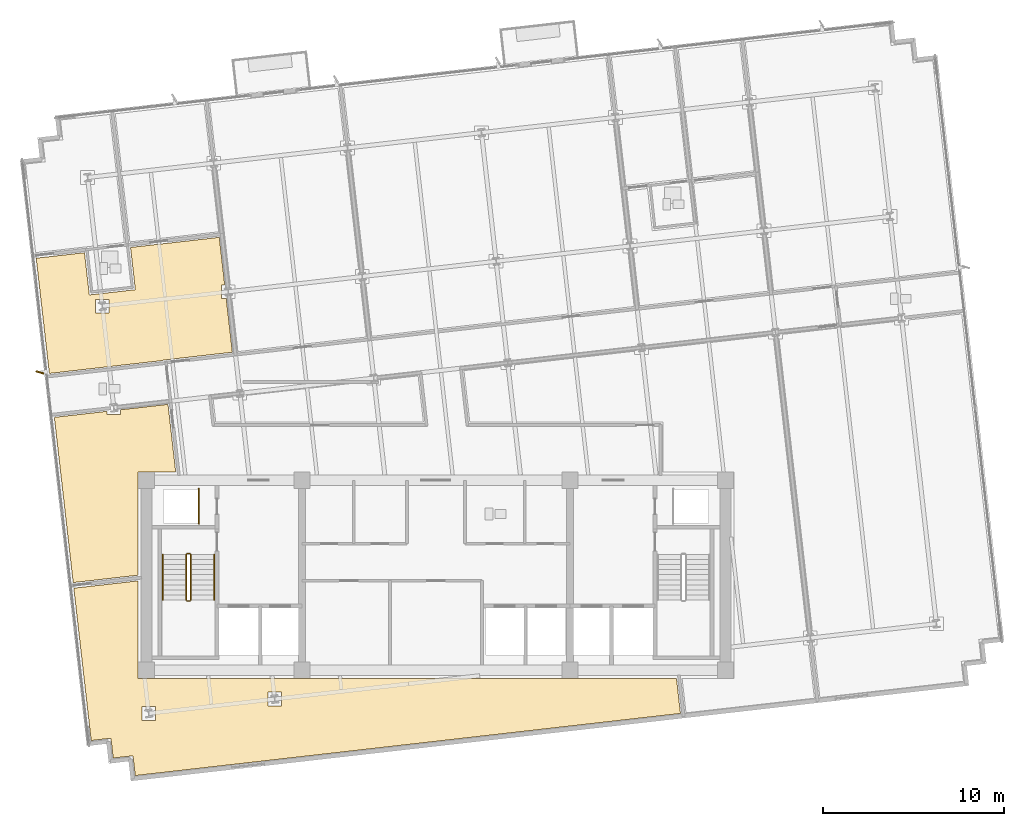
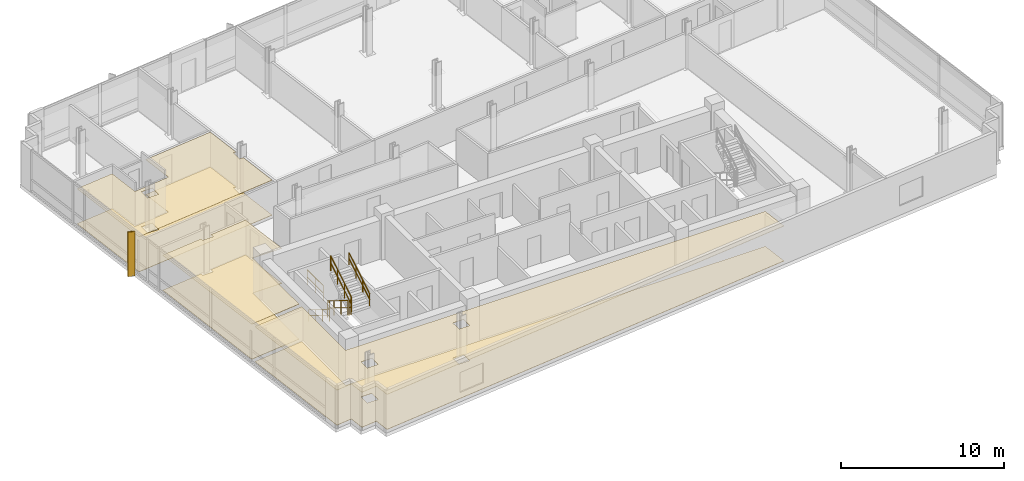
# One storey, part 12 of 15: 7 railings, 6 coverings, 1 shading device.
"""IFC4 building model written with IfcOpenShell, lengths in metres."""

from ifc_helpers import new_model, si_unit, direction, frame, origin, origin_2d, place, context, subcontext, project, spatial, polyline, rectangle, circle, outline, extrude, material, layer, layer_set, type_object, element, save


model = new_model("IFC4")

# Units and contexts
model_context = context("Model", 3, precision=1e-05, world=origin(), true_north=direction((0.0, 1.0)))
body_context = subcontext(model_context, "Body", "Model", "MODEL_VIEW")
ifc_project = project(units=[si_unit("LENGTHUNIT", "METRE"), si_unit("AREAUNIT", "SQUARE_METRE"), si_unit("VOLUMEUNIT", "CUBIC_METRE"), si_unit("PLANEANGLEUNIT", "RADIAN"), si_unit("MASSUNIT", "GRAM", prefix="KILO")], contexts=[model_context])

# Site, building, storey
site_placement = place(None, origin())
site = spatial("IfcSite", under=ifc_project, at=site_placement, CompositionType="ELEMENT")
building_placement = place(site_placement, origin())
building = spatial("IfcBuilding", under=site, at=building_placement, Name="Solmavex Isthmus Hotel", CompositionType="ELEMENT")
storey_placement = place(building_placement, frame((0.0, 0.0, 226.199951171875)))
storey = spatial("IfcBuildingStorey", under=building, at=storey_placement, Name="L61", CompositionType="ELEMENT", Elevation=226.199951171875)

# Coverings
ifc_material_1 = material(Name="Gypsum plasterboard lining", Category="gypsum")
ifc_layer_1 = layer(ifc_material_1, 0.030029296875)
ifc_layer_set_1 = layer_set([ifc_layer_1], Name="Gypsum plasterboard lining")
covering_type_1 = type_object("IfcCoveringType", Name="COV-CEIL-GYP", PredefinedType="CEILING", material=ifc_layer_set_1)
covering_1_placement = place(storey_placement, frame((0.0, 0.0, 2.6201171875)))
element("IfcCovering", 1, at=covering_1_placement, inside=storey, type_object=covering_type_1, Name="Suspended Acoustic Ceiling L61-ST01-FY", PredefinedType="CEILING", context=body_context, shape_type="SweptSolid", body=[
    extrude(outline(polyline([(-15.079833984375, 4.11669921875), (-15.08203125, 4.136474609375), (-11.2490234375, 4.5732421875), (-11.586181640625, 7.532470703125), (-11.853271484375, 7.532470703125), (-11.853271484375, 8.29248046875), (-11.672607421875, 8.29248046875), (-11.97216796875, 10.920166015625), (-16.874267578125, 10.36181640625), (-16.6083984375, 8.02685546875), (-19.15185546875, 7.737060546875), (-19.41796875, 10.072021484375), (-22.084716796875, 9.76806640625), (-21.359130859375, 3.4013671875), (-15.079833984375, 4.11669921875)]), holes=[polyline([(-18.81640625, 6.739013671875), (-18.81640625, 7.4990234375), (-18.056396484375, 7.4990234375), (-18.056396484375, 6.739013671875), (-18.81640625, 6.739013671875)])]), origin(), (0.0, 0.0, 1.0), 0.030029296875),
])
covering_2_placement = place(storey_placement, frame((0.0, 0.0, 2.6201171875)))
element("IfcCovering", 2, at=covering_2_placement, inside=storey, type_object=covering_type_1, Name="Suspended Acoustic Ceiling L61-FL09", PredefinedType="CEILING", context=body_context, shape_type="SweptSolid", body=[
    extrude(outline(polyline([(-17.4169921875, 1.39453125), (-17.4169921875, 1.12744140625), (-18.177001953125, 1.12744140625), (-18.177001953125, 1.30810546875), (-21.0830078125, 0.97705078125), (-20.494873046875, -4.1845703125), (-20.042724609375, -8.154052734375), (-16.455078125, -7.7451171875), (-16.455078125, -2.044921875), (-14.3779296875, -2.044921875), (-14.8037109375, 1.6923828125), (-17.4169921875, 1.39453125)])), origin(), (0.0, 0.0, 1.0), 0.030029296875),
])
covering_3_placement = place(storey_placement, frame((0.0, 0.0, 2.6201171875)))
element("IfcCovering", 3, at=covering_3_placement, inside=storey, type_object=covering_type_1, Name="Suspended Acoustic Ceiling L61-FL10", PredefinedType="CEILING", context=body_context, shape_type="SweptSolid", body=[
    extrude(outline(polyline([(-8.533203125, -17.8935546875), (13.50732421875, -15.382568359375), (13.470458984375, -15.0595703125), (13.28759765625, -13.455078125), (-16.455078125, -13.455078125), (-16.455078125, -8.05712890625), (-20.007568359375, -8.4619140625), (-19.14208984375, -16.057861328125), (-19.048828125, -16.87744140625), (-17.955810546875, -16.7529296875), (-17.831298828125, -17.845947265625), (-16.73828125, -17.721435546875), (-16.61376953125, -18.814453125), (-15.794189453125, -18.720947265625), (-8.533203125, -17.8935546875)]), holes=[polyline([(-9.28955078125, -14.969970703125), (-9.28955078125, -14.2099609375), (-8.529541015625, -14.2099609375), (-8.529541015625, -14.969970703125), (-9.28955078125, -14.969970703125)]), polyline([(-16.25244140625, -15.763427734375), (-16.25244140625, -15.00341796875), (-15.492431640625, -15.00341796875), (-15.492431640625, -15.763427734375), (-16.25244140625, -15.763427734375)])]), origin(), (0.0, 0.0, 1.0), 0.030029296875),
])
ifc_material_2 = material(Name="Travertine natural stone", Category="masonry")
ifc_layer_2 = layer(ifc_material_2, 0.02490234375)
ifc_layer_set_2 = layer_set([ifc_layer_2], Name="Travertine natural stone")
covering_type_2 = type_object("IfcCoveringType", Name="COV-FLOR-STN", PredefinedType="FLOORING", material=ifc_layer_set_2)
covering_4_placement = place(storey_placement, origin())
element("IfcCovering", 4, at=covering_4_placement, inside=storey, type_object=covering_type_2, Name="Stone and Timber Floor Finish L61-ST01-FY", PredefinedType="FLOORING", context=body_context, shape_type="SweptSolid", body=[
    extrude(outline(polyline([(-15.079833984375, 4.11669921875), (-15.08203125, 4.136474609375), (-11.2490234375, 4.5732421875), (-11.586181640625, 7.532470703125), (-11.853271484375, 7.532470703125), (-11.853271484375, 8.29248046875), (-11.672607421875, 8.29248046875), (-11.97216796875, 10.920166015625), (-16.874267578125, 10.36181640625), (-16.6083984375, 8.02685546875), (-19.15185546875, 7.737060546875), (-19.41796875, 10.072021484375), (-22.084716796875, 9.76806640625), (-21.359130859375, 3.4013671875), (-15.079833984375, 4.11669921875)]), holes=[polyline([(-18.81640625, 6.739013671875), (-18.81640625, 7.4990234375), (-18.056396484375, 7.4990234375), (-18.056396484375, 6.739013671875), (-18.81640625, 6.739013671875)])]), origin(), (0.0, 0.0, 1.0), 0.025146484375),
])
covering_5_placement = place(storey_placement, origin())
element("IfcCovering", 5, at=covering_5_placement, inside=storey, type_object=covering_type_2, Name="Stone and Timber Floor Finish L61-FL09", PredefinedType="FLOORING", context=body_context, shape_type="SweptSolid", body=[
    extrude(outline(polyline([(-17.4169921875, 1.39453125), (-17.4169921875, 1.12744140625), (-18.177001953125, 1.12744140625), (-18.177001953125, 1.30810546875), (-21.0830078125, 0.97705078125), (-20.494873046875, -4.1845703125), (-20.042724609375, -8.154052734375), (-16.455078125, -7.7451171875), (-16.455078125, -2.044921875), (-14.3779296875, -2.044921875), (-14.8037109375, 1.6923828125), (-17.4169921875, 1.39453125)])), origin(), (0.0, 0.0, 1.0), 0.025146484375),
])
covering_6_placement = place(storey_placement, origin())
element("IfcCovering", 6, at=covering_6_placement, inside=storey, type_object=covering_type_2, Name="Stone and Timber Floor Finish L61-FL10", PredefinedType="FLOORING", context=body_context, shape_type="SweptSolid", body=[
    extrude(outline(polyline([(-8.533203125, -17.8935546875), (13.50732421875, -15.382568359375), (13.470458984375, -15.0595703125), (13.28759765625, -13.455078125), (-16.455078125, -13.455078125), (-16.455078125, -8.05712890625), (-20.007568359375, -8.4619140625), (-19.14208984375, -16.057861328125), (-19.048828125, -16.87744140625), (-17.955810546875, -16.7529296875), (-17.831298828125, -17.845947265625), (-16.73828125, -17.721435546875), (-16.61376953125, -18.814453125), (-15.794189453125, -18.720947265625), (-8.533203125, -17.8935546875)]), holes=[polyline([(-9.28955078125, -14.969970703125), (-9.28955078125, -14.2099609375), (-8.529541015625, -14.2099609375), (-8.529541015625, -14.969970703125), (-9.28955078125, -14.969970703125)]), polyline([(-16.25244140625, -15.763427734375), (-16.25244140625, -15.00341796875), (-15.492431640625, -15.00341796875), (-15.492431640625, -15.763427734375), (-16.25244140625, -15.763427734375)])]), origin(), (0.0, 0.0, 1.0), 0.025146484375),
])

# Railings
ifc_material_3 = material(Name="Clear low-E laminated glass", Category="glass")
ifc_layer_3 = layer(ifc_material_3, 0.080078125)
ifc_layer_set_3 = layer_set([ifc_layer_3], Name="Clear low-E laminated glass")
railing_type_1 = type_object("IfcRailingType", Name="RAIL-ATRIUM-1120", PredefinedType="BALUSTRADE", material=ifc_layer_set_3)
railing_1_placement = place(storey_placement, frame((-13.10009765625, -4.89990234375, 0.0)))
element("IfcRailing", 7, at=railing_1_placement, inside=storey, type_object=railing_type_1, Name="Guardrail Balustrade L61-RSW-01", PredefinedType="BALUSTRADE", context=body_context, shape_type="SweptSolid", body=[
    extrude(circle(Radius=0.02392578125, at=origin_2d()), frame((0.0, 0.0, 1.1259765625), z_axis=(0.0, 1.0, 0.0), x_axis=(-1.0, 0.0, 0.0)), (0.0, 0.0, 1.0), 1.949951171875),
    extrude(circle(Radius=0.02392578125, at=origin_2d()), frame((0.0, 0.0, 0.574951171875), z_axis=(0.0, 1.0, 0.0), x_axis=(-1.0, 0.0, 0.0)), (0.0, 0.0, 1.0), 1.949951171875),
    extrude(circle(Radius=0.02099609375, at=origin_2d()), origin(), (0.0, 0.0, 1.0), 1.101806640625),
    extrude(circle(Radius=0.02099609375, at=origin_2d()), frame((0.0, 0.97509765625, 0.0)), (0.0, 0.0, 1.0), 1.101806640625),
    extrude(circle(Radius=0.02099609375, at=origin_2d()), frame((0.0, 1.949951171875, 0.0)), (0.0, 0.0, 1.0), 1.101806640625),
])
ifc_material_4 = material(Name="Stainless steel 316", Category="steel")
ifc_layer_4 = layer(ifc_material_4, 0.06005859375)
ifc_layer_set_4 = layer_set([ifc_layer_4], Name="Stainless steel 316")
railing_type_2 = type_object("IfcRailingType", Name="RAIL-STAIR-GD", PredefinedType="GUARDRAIL", material=ifc_layer_set_4)
railing_2_placement = place(storey_placement, frame((-13.800048828125, -6.60009765625, 0.172607421875)))
element("IfcRailing", 8, at=railing_2_placement, inside=storey, type_object=railing_type_2, Name="L61 ST-1 stair guard 1", PredefinedType="GUARDRAIL", context=body_context, shape_type="SweptSolid", body=[
    extrude(circle(Radius=0.02392578125, at=origin_2d()), frame((0.0, 0.0, 1.09619140625), z_axis=(0.0, -0.851400495292, 0.524516154772), x_axis=(1.0, 0.0, 0.0)), (0.0, 0.0, 1.0), 2.9599609375),
    extrude(circle(Radius=0.02392578125, at=origin_2d()), frame((0.0, 0.0, 0.56005859375), z_axis=(0.0, -0.851400495292, 0.524516154772), x_axis=(1.0, 0.0, 0.0)), (0.0, 0.0, 1.0), 2.9599609375),
    extrude(circle(Radius=0.02099609375, at=origin_2d()), origin(), (0.0, 0.0, 1.0), 1.072021484375),
    extrude(circle(Radius=0.02099609375, at=origin_2d()), frame((0.0, -0.840087890625, 0.517578125)), (0.0, 0.0, 1.0), 1.072021484375),
    extrude(circle(Radius=0.02099609375, at=origin_2d()), frame((0.0, -1.679931640625, 1.034912109375)), (0.0, 0.0, 1.0), 1.072021484375),
    extrude(circle(Radius=0.02099609375, at=origin_2d()), frame((0.0, -2.52001953125, 1.552490234375)), (0.0, 0.0, 1.0), 1.072021484375),
])
railing_3_placement = place(storey_placement, frame((-13.75, -9.169921875, 1.72509765625)))
element("IfcRailing", 9, at=railing_3_placement, inside=storey, type_object=railing_type_2, Name="L61 ST-1 stair guard 2", PredefinedType="GUARDRAIL", context=body_context, shape_type="SweptSolid", body=[
    extrude(circle(Radius=0.02392578125, at=origin_2d()), frame((0.0, 0.0, 1.09619140625), z_axis=(1.0, 0.0, 0.0), x_axis=(0.0, 1.0, 0.0)), (0.0, 0.0, 1.0), 0.14990234375),
    extrude(circle(Radius=0.02392578125, at=origin_2d()), frame((0.0, 0.0, 0.56005859375), z_axis=(1.0, 0.0, 0.0), x_axis=(0.0, 1.0, 0.0)), (0.0, 0.0, 1.0), 0.14990234375),
    extrude(circle(Radius=0.02099609375, at=origin_2d()), origin(), (0.0, 0.0, 1.0), 1.072021484375),
    extrude(circle(Radius=0.02099609375, at=origin_2d()), frame((0.14990234375, 0.0, 0.0)), (0.0, 0.0, 1.0), 1.072021484375),
])
railing_4_placement = place(storey_placement, frame((-13.550048828125, -9.1201171875, 1.8974609375)))
element("IfcRailing", 10, at=railing_4_placement, inside=storey, type_object=railing_type_2, Name="L61 ST-1 stair guard 3", PredefinedType="GUARDRAIL", context=body_context, shape_type="SweptSolid", body=[
    extrude(circle(Radius=0.02392578125, at=origin_2d()), frame((0.0, 0.0, 1.09619140625), z_axis=(0.0, 0.851400495292, 0.524516154772), x_axis=(-1.0, 0.0, 0.0)), (0.0, 0.0, 1.0), 2.9599609375),
    extrude(circle(Radius=0.02392578125, at=origin_2d()), frame((0.0, 0.0, 0.56005859375), z_axis=(0.0, 0.851400495292, 0.524516154772), x_axis=(-1.0, 0.0, 0.0)), (0.0, 0.0, 1.0), 2.9599609375),
    extrude(circle(Radius=0.02099609375, at=origin_2d()), origin(), (0.0, 0.0, 1.0), 1.072021484375),
    extrude(circle(Radius=0.02099609375, at=origin_2d()), frame((0.0, 0.840087890625, 0.517578125)), (0.0, 0.0, 1.0), 1.072021484375),
    extrude(circle(Radius=0.02099609375, at=origin_2d()), frame((0.0, 1.679931640625, 1.034912109375)), (0.0, 0.0, 1.0), 1.072021484375),
    extrude(circle(Radius=0.02099609375, at=origin_2d()), frame((0.0, 2.52001953125, 1.552490234375)), (0.0, 0.0, 1.0), 1.072021484375),
])
railing_5_placement = place(storey_placement, frame((-13.75, -6.550048828125, 0.0)))
element("IfcRailing", 11, at=railing_5_placement, inside=storey, type_object=railing_type_2, Name="L61 ST-1 stair guard 4", PredefinedType="GUARDRAIL", context=body_context, shape_type="SweptSolid", body=[
    extrude(circle(Radius=0.02392578125, at=origin_2d()), frame((0.0, 0.0, 1.09619140625), z_axis=(1.0, 0.0, 0.0), x_axis=(0.0, 1.0, 0.0)), (0.0, 0.0, 1.0), 0.14990234375),
    extrude(circle(Radius=0.02392578125, at=origin_2d()), frame((0.0, 0.0, 0.56005859375), z_axis=(1.0, 0.0, 0.0), x_axis=(0.0, 1.0, 0.0)), (0.0, 0.0, 1.0), 0.14990234375),
    extrude(circle(Radius=0.02099609375, at=origin_2d()), origin(), (0.0, 0.0, 1.0), 1.072021484375),
    extrude(circle(Radius=0.02099609375, at=origin_2d()), frame((0.14990234375, 0.0, 0.0)), (0.0, 0.0, 1.0), 1.072021484375),
])
ifc_layer_5 = layer(ifc_material_4, 0.050048828125)
ifc_layer_set_5 = layer_set([ifc_layer_5], Name="Stainless steel 316")
railing_type_3 = type_object("IfcRailingType", Name="RAIL-STAIR-HR", PredefinedType="HANDRAIL", material=ifc_layer_set_5)
railing_6_placement = place(storey_placement, frame((-15.10009765625, -6.60009765625, 0.172607421875)))
element("IfcRailing", 12, at=railing_6_placement, inside=storey, type_object=railing_type_3, Name="L61 ST-1 stair handrail 1", PredefinedType="HANDRAIL", context=body_context, shape_type="SweptSolid", body=[
    extrude(circle(Radius=0.02392578125, at=origin_2d()), frame((0.0, 0.0, 0.8759765625), z_axis=(0.0, -0.851400495292, 0.524516154772), x_axis=(1.0, 0.0, 0.0)), (0.0, 0.0, 1.0), 2.9599609375),
    extrude(circle(Radius=0.02392578125, at=origin_2d()), frame((0.0, 0.0, 0.449951171875), z_axis=(0.0, -0.851400495292, 0.524516154772), x_axis=(1.0, 0.0, 0.0)), (0.0, 0.0, 1.0), 2.9599609375),
    extrude(circle(Radius=0.02099609375, at=origin_2d()), origin(), (0.0, 0.0, 1.0), 0.851806640625),
    extrude(circle(Radius=0.02099609375, at=origin_2d()), frame((0.0, -0.840087890625, 0.517578125)), (0.0, 0.0, 1.0), 0.851806640625),
    extrude(circle(Radius=0.02099609375, at=origin_2d()), frame((0.0, -1.679931640625, 1.034912109375)), (0.0, 0.0, 1.0), 0.851806640625),
    extrude(circle(Radius=0.02099609375, at=origin_2d()), frame((0.0, -2.52001953125, 1.552490234375)), (0.0, 0.0, 1.0), 0.851806640625),
])
railing_7_placement = place(storey_placement, frame((-12.25, -9.1201171875, 1.8974609375)))
element("IfcRailing", 13, at=railing_7_placement, inside=storey, type_object=railing_type_3, Name="L61 ST-1 stair handrail 2", PredefinedType="HANDRAIL", context=body_context, shape_type="SweptSolid", body=[
    extrude(circle(Radius=0.02392578125, at=origin_2d()), frame((0.0, 0.0, 0.8759765625), z_axis=(0.0, 0.851400495292, 0.524516154772), x_axis=(-1.0, 0.0, 0.0)), (0.0, 0.0, 1.0), 2.9599609375),
    extrude(circle(Radius=0.02392578125, at=origin_2d()), frame((0.0, 0.0, 0.449951171875), z_axis=(0.0, 0.851400495292, 0.524516154772), x_axis=(-1.0, 0.0, 0.0)), (0.0, 0.0, 1.0), 2.9599609375),
    extrude(circle(Radius=0.02099609375, at=origin_2d()), origin(), (0.0, 0.0, 1.0), 0.851806640625),
    extrude(circle(Radius=0.02099609375, at=origin_2d()), frame((0.0, 0.840087890625, 0.517578125)), (0.0, 0.0, 1.0), 0.851806640625),
    extrude(circle(Radius=0.02099609375, at=origin_2d()), frame((0.0, 1.679931640625, 1.034912109375)), (0.0, 0.0, 1.0), 0.851806640625),
    extrude(circle(Radius=0.02099609375, at=origin_2d()), frame((0.0, 2.52001953125, 1.552490234375)), (0.0, 0.0, 1.0), 0.851806640625),
])

# Shading device
ifc_material_5 = material(Name="Aluminium alloy 6063-T6", Category="aluminium")
shading_device_type = type_object("IfcShadingDeviceType", Name="SHD-FIN-BRONZE", PredefinedType="USERDEFINED", material=ifc_material_5)
shading_device_placement = place(storey_placement, frame((-21.884033203125, 3.457275390625, -0.139892578125), z_axis=(0.0, 0.0, 1.0), x_axis=(-0.953716950748, 0.300705799504, 0.0)))
element("IfcShadingDevice", 14, at=shading_device_placement, inside=storey, type_object=shading_device_type, Name="Anodised Aluminium Solar Fin L61-W1", ObjectType="SOLAR_FIN", PredefinedType="USERDEFINED", context=body_context, shape_type="SweptSolid", body=[
    extrude(rectangle(XDim=0.449951171875, YDim=0.080078125, at=origin_2d()), origin(), (0.0, 0.0, 1.0), 3.330078125),
])

save(model, "model.ifc")
